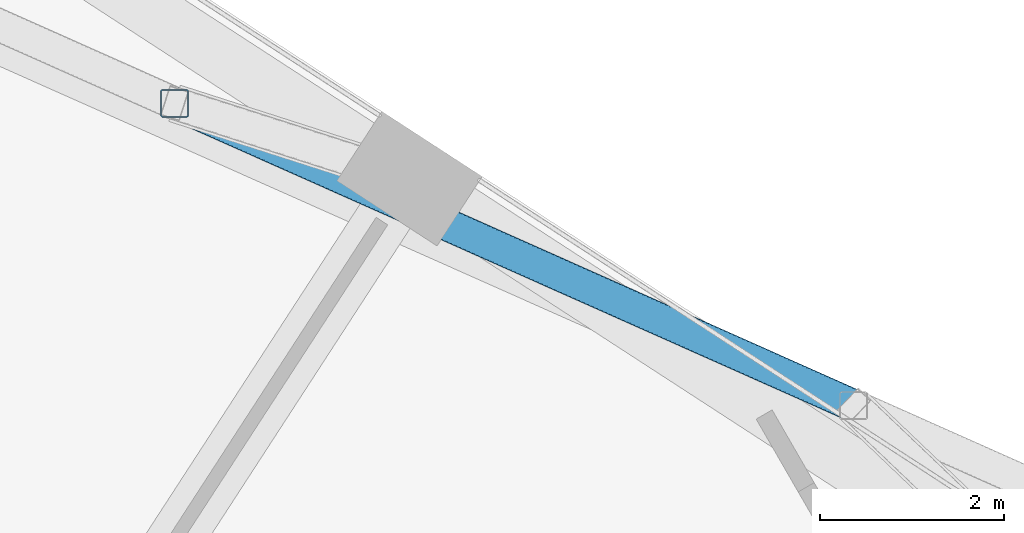
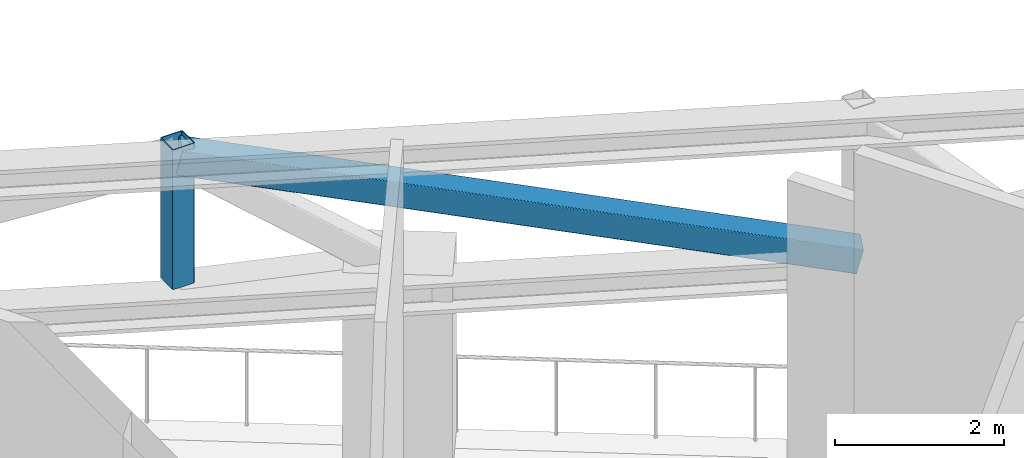
# One storey, part 12 of 26: 2 members.
"""IFC4 building model written with IfcOpenShell, lengths in metres."""

import ifcopenshell
import ifcopenshell.guid

model = None  # the IFC model being written
_history = None  # IfcOwnerHistory: only IFC2X3 demands one
_inside = {}  # id of a spatial element -> (the spatial element, [elements in it])
_under = {}  # id of a project, library or spatial element -> (it, [spatial elements below it])
_declared = {}  # id of a project -> (the project, [libraries it declares])
_typed = {}  # id of a type object -> (the type object, [elements of that type])
_made_of = {}  # id of a material, layer set ... -> (it, [elements and type objects made of it])


def new_model(schema):
    """Start an empty IFC model of exactly this schema.

    Asked for "IFC4X3", IfcOpenShell would pick the latest addendum, in which some entities
    have other attributes; the version numbers below select the first issue.
    IFC2X3 requires an IfcOwnerHistory on every rooted entity: one is made here for all.
    """
    global model, _history
    if schema == "IFC4X3":
        model = ifcopenshell.file(schema_version=(4, 3, 0, 0))
    else:
        model = ifcopenshell.file(schema=schema)
    _inside.clear()
    _under.clear()
    _declared.clear()
    _typed.clear()
    _made_of.clear()
    _history = None
    if model.schema == "IFC2X3":
        org = make("IfcOrganization", Name="unknown")
        user = make(
            "IfcPersonAndOrganization",
            ThePerson=make("IfcPerson", FamilyName="unknown"),
            TheOrganization=org,
        )
        app = make(
            "IfcApplication",
            ApplicationDeveloper=org,
            Version="unknown",
            ApplicationFullName="unknown",
            ApplicationIdentifier="unknown",
        )
        _history = make(
            "IfcOwnerHistory",
            OwningUser=user,
            OwningApplication=app,
            ChangeAction="ADDED",
            CreationDate=0,
        )
    return model


def make(cls, **values):
    """One entity of the class cls with the attributes given. An attribute that is None is left unset."""
    return model.create_entity(
        cls, **{name: value for name, value in values.items() if value is not None}
    )


def rooted(cls, **values):
    """An entity with a GlobalId (a new one), such as an element, a storey or a relation."""
    return make(cls, GlobalId=ifcopenshell.guid.new(), OwnerHistory=_history, **values)


def si_unit(unit_type, name, prefix=None):
    """IfcSIUnit, for example si_unit("LENGTHUNIT", "METRE", prefix="MILLI")."""
    return make("IfcSIUnit", UnitType=unit_type, Prefix=prefix, Name=name)


def assignment(units):
    """IfcUnitAssignment: the units of a project."""
    return None if units is None else make("IfcUnitAssignment", Units=units)


def point(xyz):
    """IfcCartesianPoint."""
    return None if xyz is None else make("IfcCartesianPoint", Coordinates=xyz)


def direction(xyz):
    """IfcDirection."""
    return None if xyz is None else make("IfcDirection", DirectionRatios=xyz)


def frame(location, z_axis=None, x_axis=None):
    """IfcAxis2Placement3D, a coordinate frame: its origin and axes. An axis left out is left unset."""
    return make(
        "IfcAxis2Placement3D",
        Location=point(location),
        Axis=direction(z_axis),
        RefDirection=direction(x_axis),
    )


def frame_2d(location, x_axis=None):
    """IfcAxis2Placement2D, a coordinate frame in the plane: its origin and x axis."""
    return make(
        "IfcAxis2Placement2D", Location=point(location), RefDirection=direction(x_axis)
    )


def origin():
    """The frame at (0, 0, 0) with its axes left unset."""
    return frame((0.0, 0.0, 0.0))


def origin_2d():
    """The frame at (0, 0) in the plane with its x axis left unset."""
    return frame_2d((0.0, 0.0))


def place(relative_to, where):
    """IfcLocalPlacement: puts the frame where relative to a parent placement (None: the world)."""
    return make(
        "IfcLocalPlacement", PlacementRelTo=relative_to, RelativePlacement=where
    )


def context(
    kind, dimensions, precision=None, world=None, true_north=None, identifier=None
):
    """IfcGeometricRepresentationContext, for example the 3D "Model" context."""
    return make(
        "IfcGeometricRepresentationContext",
        ContextIdentifier=identifier,
        ContextType=kind,
        CoordinateSpaceDimension=dimensions,
        Precision=precision,
        WorldCoordinateSystem=world,
        TrueNorth=true_north,
    )


def subcontext(parent, identifier, kind, view, scale=None):
    """IfcGeometricRepresentationSubContext, for example "Body" below "Model"."""
    return make(
        "IfcGeometricRepresentationSubContext",
        ContextIdentifier=identifier,
        ContextType=kind,
        ParentContext=parent,
        TargetScale=scale,
        TargetView=view,
    )


def project(units=None, contexts=None):
    """IfcProject with its units and contexts."""
    return rooted(
        "IfcProject",
        Name="project",
        RepresentationContexts=contexts,
        UnitsInContext=assignment(units),
    )


def spatial(cls, under=None, at=None, **own):
    """A site, building, storey or space (cls), placed at a placement, below another one or the project."""
    s = rooted(cls, ObjectPlacement=at, **own)
    if under is not None:
        _under.setdefault(under.id(), (under, []))[1].append(s)
    return s


def profile(cls, at=None, kind="AREA", **sizes):
    """A parametric profile (cls). Its sizes go by their IFC names, for example OverallWidth=200.0."""
    return make(cls, ProfileType=kind, Position=at, **sizes)


def hollow_rectangle(**sizes):
    """IfcRectangleHollowProfileDef."""
    return profile("IfcRectangleHollowProfileDef", **sizes)


def extrude(swept, where, along, depth):
    """IfcExtrudedAreaSolid: the profile swept, set in the frame where, extruded along a direction by depth."""
    return make(
        "IfcExtrudedAreaSolid",
        SweptArea=swept,
        Position=where,
        ExtrudedDirection=direction(along),
        Depth=depth,
    )


def shape(context_of_items, identifier, shape_type, items):
    """IfcShapeRepresentation: the items that make up one representation, for example the "Body"."""
    return make(
        "IfcShapeRepresentation",
        ContextOfItems=context_of_items,
        RepresentationIdentifier=identifier,
        RepresentationType=shape_type,
        Items=items,
    )


def material(Name=None, Category=None):
    """IfcMaterial."""
    return make("IfcMaterial", Name=Name, Category=Category)


def material_profile(
    of_material, cross_section, Name=None, Category=None, Priority=None
):
    """IfcMaterialProfile: a cross section and its material."""
    return make(
        "IfcMaterialProfile",
        Name=Name,
        Material=of_material,
        Profile=cross_section,
        Priority=Priority,
        Category=Category,
    )


def profile_set(profiles, Name=None, composite=None):
    """IfcMaterialProfileSet."""
    return make(
        "IfcMaterialProfileSet",
        Name=Name,
        MaterialProfiles=profiles,
        CompositeProfile=composite,
    )


def made_of(thing, what):
    """Note that an element or type object is made of a material, layer set ...; save() writes the relation."""
    if what is not None:
        _made_of.setdefault(what.id(), (what, []))[1].append(thing)
    return thing


def type_object(cls, material=None, **own):
    """A type object (cls), such as IfcWallType, which elements share."""
    return made_of(rooted(cls, **own), material)


def element(
    cls,
    number,
    at=None,
    inside=None,
    cuts=None,
    type_object=None,
    material=None,
    context=None,
    identifier="Body",
    shape_type=None,
    held_by="IfcProductDefinitionShape",
    body=None,
    shapes=None,
    **own,
):
    """One element of the class cls, such as IfcWall. Its Tag is "e" and its number.

    at: its placement. inside: the storey or other place that contains it. cuts: it is an
    opening in that element (IfcRelVoidsElement). A single representation is given by context,
    identifier, shape_type and body (its items); several are given by shapes. held_by: the class
    of the entity that holds the representations. save() writes the other relations.
    """
    e = rooted(cls, Tag="e%d" % number, ObjectPlacement=at, **own)
    if body is not None:
        shapes = [shape(context, identifier, shape_type, body)]
    if shapes is not None:
        e.Representation = make(held_by, Representations=shapes)
    if inside is not None:
        _inside.setdefault(inside.id(), (inside, []))[1].append(e)
    if cuts is not None:
        rooted(
            "IfcRelVoidsElement", RelatingBuildingElement=cuts, RelatedOpeningElement=e
        )
    if type_object is not None:
        _typed.setdefault(type_object.id(), (type_object, []))[1].append(e)
    return made_of(e, material)


def aggregate(whole, parts):
    """IfcRelAggregates: a whole, such as a stair, and the parts it consists of."""
    return rooted("IfcRelAggregates", RelatingObject=whole, RelatedObjects=parts)


def save(model, path):
    """Write the relations noted so far, then the file.

    IfcRelAggregates (storeys below a building ...), IfcRelContainedInSpatialStructure (elements
    in a storey), IfcRelDefinesByType, IfcRelAssociatesMaterial and IfcRelDeclares: one each for
    every whole, place, type object, material and project.
    """
    for whole, parts in _under.values():
        aggregate(whole, parts)
    for where, things in _inside.values():
        rooted(
            "IfcRelContainedInSpatialStructure",
            RelatedElements=things,
            RelatingStructure=where,
        )
    for kind, things in _typed.values():
        rooted("IfcRelDefinesByType", RelatedObjects=things, RelatingType=kind)
    for what, things in _made_of.values():
        rooted("IfcRelAssociatesMaterial", RelatedObjects=things, RelatingMaterial=what)
    for by, libraries in _declared.values():
        rooted("IfcRelDeclares", RelatingContext=by, RelatedDefinitions=libraries)
    model.write(path)


model = new_model("IFC4")

# Units and contexts
model_context = context("Model", 3, precision=1e-05, world=origin(), true_north=direction((0.0, 1.0)))
body_context = subcontext(model_context, "Body", "Model", "MODEL_VIEW")
ifc_project = project(units=[si_unit("LENGTHUNIT", "METRE"), si_unit("AREAUNIT", "SQUARE_METRE"), si_unit("VOLUMEUNIT", "CUBIC_METRE"), si_unit("PLANEANGLEUNIT", "RADIAN"), si_unit("MASSUNIT", "GRAM", prefix="KILO")], contexts=[model_context])

# Site, building, storey
site_placement = place(None, origin())
site = spatial("IfcSite", under=ifc_project, at=site_placement, CompositionType="ELEMENT")
building_placement = place(site_placement, origin())
building = spatial("IfcBuilding", under=site, at=building_placement, Name="Tramontana Tower", CompositionType="ELEMENT")
storey_placement = place(building_placement, frame((0.0, 0.0, 157.60009765625)))
storey = spatial("IfcBuildingStorey", under=building, at=storey_placement, Name="L36", CompositionType="ELEMENT", Elevation=157.60009765625)

# Members
ifc_material_1 = material(Name="Steel ASTM A500 Grade C", Category="steel")
ifc_material_profile_1 = material_profile(ifc_material_1, hollow_rectangle(XDim=0.3046875, YDim=0.3046875, WallThickness=0.01171875, InnerFilletRadius=0.01171875, OuterFilletRadius=0.023681640625, at=origin_2d()), Name="HSS12X12X1/2")
ifc_profile_set_1 = profile_set([ifc_material_profile_1], Name="Steel ASTM A500 Grade C")
member_type_1 = type_object("IfcMemberType", Name="Belt truss HSS12X12X1/2 post", PredefinedType="POST", material=ifc_profile_set_1)
member_1_placement = place(storey_placement, frame((6.7314453125, 15.119140625, 2.8349609375), z_axis=(0.0, 0.0, 1.0), x_axis=(1.0, 0.0, 0.0)))
element("IfcMember", 1, at=member_1_placement, inside=storey, type_object=member_type_1, Name="Belt truss post C4F13", PredefinedType="POST", context=body_context, shape_type="SweptSolid", body=[
    extrude(hollow_rectangle(XDim=0.3046875, YDim=0.3046875, WallThickness=0.01171875, InnerFilletRadius=0.01171875, OuterFilletRadius=0.023681640625, at=origin_2d()), origin(), (0.0, 0.0, 1.0), 2.014892578125),
])
ifc_material_2 = material(Name="Steel ASTM A500 Grade C", Category="steel")
ifc_material_profile_2 = material_profile(ifc_material_2, hollow_rectangle(XDim=0.355712890625, YDim=0.355712890625, WallThickness=0.01171875, InnerFilletRadius=0.01171875, OuterFilletRadius=0.023681640625, at=origin_2d()), Name="HSS14X14X1/2")
ifc_profile_set_2 = profile_set([ifc_material_profile_2], Name="Steel ASTM A500 Grade C")
member_type_2 = type_object("IfcMemberType", Name="Belt truss HSS14X14X1/2 brace", PredefinedType="BRACE", material=ifc_profile_set_2)
member_2_placement = place(storey_placement, frame((14.115478515625, 11.83154296875, 2.617431640625), z_axis=(-0.886418524301, 0.394660666168, 0.241878395803), x_axis=(-0.40673811554, -0.913544802058, 0.0)))
element("IfcMember", 2, at=member_2_placement, inside=storey, type_object=member_type_2, Name="Belt truss diagonal S2.3", PredefinedType="BRACE", context=body_context, shape_type="SweptSolid", body=[
    extrude(hollow_rectangle(XDim=0.355712890625, YDim=0.355712890625, WallThickness=0.01171875, InnerFilletRadius=0.01171875, OuterFilletRadius=0.023681640625, at=origin_2d()), origin(), (0.0, 0.0, 1.0), 8.330078125),
])

save(model, "model.ifc")
